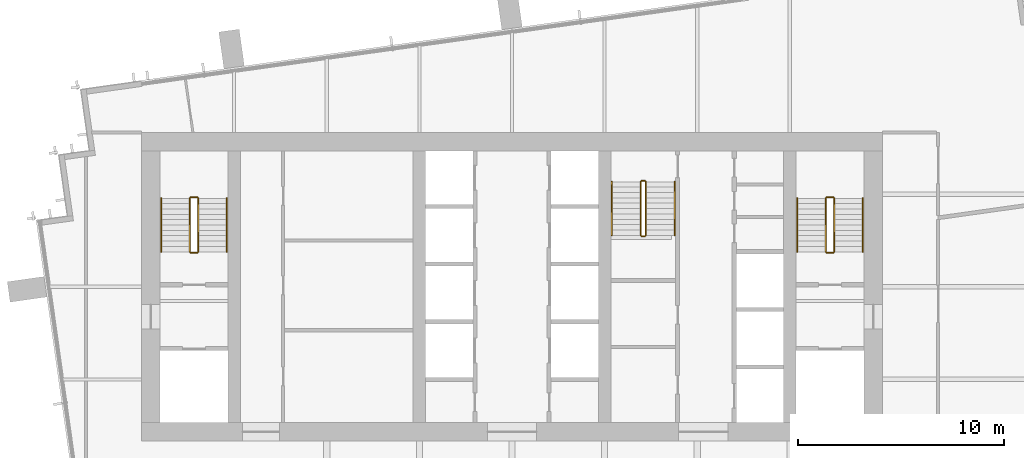
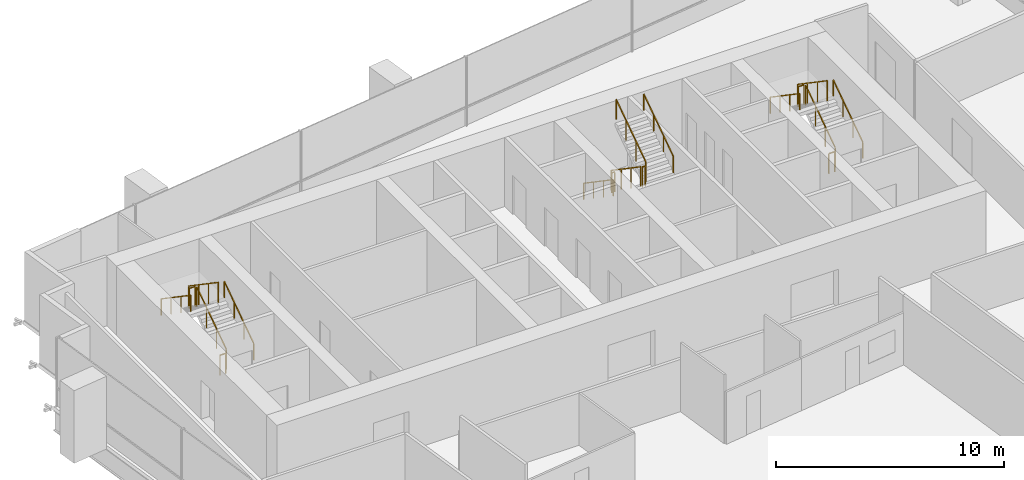
# One storey, part 13 of 13: 18 railings.
"""IFC4 building model written with IfcOpenShell, lengths in metres."""

from ifc_helpers import new_model, si_unit, direction, frame, origin, origin_2d, place, context, subcontext, project, spatial, rectangle, extrude, material, type_object, element, save


model = new_model("IFC4")

# Units and contexts
model_context = context("Model", 3, precision=1e-05, world=origin(), true_north=direction((0.0, 1.0)))
body_context = subcontext(model_context, "Body", "Model", "MODEL_VIEW")
ifc_project = project(units=[si_unit("LENGTHUNIT", "METRE"), si_unit("AREAUNIT", "SQUARE_METRE"), si_unit("VOLUMEUNIT", "CUBIC_METRE"), si_unit("PLANEANGLEUNIT", "RADIAN"), si_unit("MASSUNIT", "GRAM", prefix="KILO")], contexts=[model_context])

# Site, building, storey
site_placement = place(None, origin())
site = spatial("IfcSite", under=ifc_project, at=site_placement, CompositionType="ELEMENT")
building_placement = place(site_placement, origin())
building = spatial("IfcBuilding", under=site, at=building_placement, Name="Rattan Terrace Tower", CompositionType="ELEMENT")
storey_placement = place(building_placement, frame((0.0, 0.0, 217.39990234375)))
storey = spatial("IfcBuildingStorey", under=building, at=storey_placement, Name="L49", CompositionType="ELEMENT", Elevation=217.39990234375)

# Railings
ifc_material_1 = material(Name="Powder-coated steel guard", Category="steel")
railing_type_1 = type_object("IfcRailingType", Name="Core stair guard", PredefinedType="GUARDRAIL", material=ifc_material_1)
railing_1_placement = place(storey_placement, frame((-15.25, 1.699951171875, 0.177490234375)))
element("IfcRailing", 1, at=railing_1_placement, inside=storey, type_object=railing_type_1, Name="L49 S1 stair guard 1", PredefinedType="GUARDRAIL", context=body_context, shape_type="SweptSolid", body=[
    extrude(rectangle(XDim=0.048095703125, YDim=0.048095703125, at=origin_2d()), frame((0.0, 0.0, 1.076171875), z_axis=(0.0, 0.826240473404, 0.563317565952), x_axis=(-1.0, 0.0, 0.0)), (0.0, 0.0, 1.0), 3.14697265625),
    extrude(rectangle(XDim=0.0419921875, YDim=0.0419921875, at=origin_2d()), origin(), (0.0, 0.0, 1.0), 1.052001953125),
    extrude(rectangle(XDim=0.0419921875, YDim=0.0419921875, at=origin_2d()), frame((0.0, 0.86669921875, 0.5908203125)), (0.0, 0.0, 1.0), 1.052001953125),
    extrude(rectangle(XDim=0.0419921875, YDim=0.0419921875, at=origin_2d()), frame((0.0, 1.7333984375, 1.181884765625)), (0.0, 0.0, 1.0), 1.052001953125),
    extrude(rectangle(XDim=0.0419921875, YDim=0.0419921875, at=origin_2d()), frame((0.0, 2.60009765625, 1.772705078125)), (0.0, 0.0, 1.0), 1.052001953125),
])
railing_2_placement = place(storey_placement, frame((-15.300048828125, 4.35009765625, 1.9501953125)))
element("IfcRailing", 2, at=railing_2_placement, inside=storey, type_object=railing_type_1, Name="L49 S1 stair guard 2", PredefinedType="GUARDRAIL", context=body_context, shape_type="SweptSolid", body=[
    extrude(rectangle(XDim=0.048095703125, YDim=0.048095703125, at=origin_2d()), frame((0.0, 0.0, 1.076171875), z_axis=(-1.0, 0.0, 0.0), x_axis=(0.0, -1.0, 0.0)), (0.0, 0.0, 1.0), 0.300048828125),
    extrude(rectangle(XDim=0.0419921875, YDim=0.0419921875, at=origin_2d()), origin(), (0.0, 0.0, 1.0), 1.052001953125),
    extrude(rectangle(XDim=0.0419921875, YDim=0.0419921875, at=origin_2d()), frame((-0.300048828125, 0.0, 0.0)), (0.0, 0.0, 1.0), 1.052001953125),
])
railing_3_placement = place(storey_placement, frame((-15.64990234375, 4.300048828125, 2.12744140625)))
element("IfcRailing", 3, at=railing_3_placement, inside=storey, type_object=railing_type_1, Name="L49 S1 stair guard 3", PredefinedType="GUARDRAIL", context=body_context, shape_type="SweptSolid", body=[
    extrude(rectangle(XDim=0.048095703125, YDim=0.048095703125, at=origin_2d()), frame((0.0, 0.0, 1.076171875), z_axis=(0.0, -0.826240473404, 0.563317565952), x_axis=(1.0, 0.0, 0.0)), (0.0, 0.0, 1.0), 3.14697265625),
    extrude(rectangle(XDim=0.0419921875, YDim=0.0419921875, at=origin_2d()), origin(), (0.0, 0.0, 1.0), 1.052001953125),
    extrude(rectangle(XDim=0.0419921875, YDim=0.0419921875, at=origin_2d()), frame((0.0, -0.86669921875, 0.5908203125)), (0.0, 0.0, 1.0), 1.052001953125),
    extrude(rectangle(XDim=0.0419921875, YDim=0.0419921875, at=origin_2d()), frame((0.0, -1.7333984375, 1.181884765625)), (0.0, 0.0, 1.0), 1.052001953125),
    extrude(rectangle(XDim=0.0419921875, YDim=0.0419921875, at=origin_2d()), frame((0.0, -2.60009765625, 1.772705078125)), (0.0, 0.0, 1.0), 1.052001953125),
])
railing_4_placement = place(storey_placement, frame((-15.300048828125, 1.64990234375, 0.0)))
element("IfcRailing", 4, at=railing_4_placement, inside=storey, type_object=railing_type_1, Name="L49 S1 stair guard 4", PredefinedType="GUARDRAIL", context=body_context, shape_type="SweptSolid", body=[
    extrude(rectangle(XDim=0.048095703125, YDim=0.048095703125, at=origin_2d()), frame((0.0, 0.0, 1.076171875), z_axis=(-1.0, 0.0, 0.0), x_axis=(0.0, -1.0, 0.0)), (0.0, 0.0, 1.0), 0.300048828125),
    extrude(rectangle(XDim=0.0419921875, YDim=0.0419921875, at=origin_2d()), origin(), (0.0, 0.0, 1.0), 1.052001953125),
    extrude(rectangle(XDim=0.0419921875, YDim=0.0419921875, at=origin_2d()), frame((-0.300048828125, 0.0, 0.0)), (0.0, 0.0, 1.0), 1.052001953125),
])
railing_5_placement = place(storey_placement, frame((15.64990234375, 1.699951171875, 0.177490234375)))
element("IfcRailing", 5, at=railing_5_placement, inside=storey, type_object=railing_type_1, Name="L49 S2 stair guard 1", PredefinedType="GUARDRAIL", context=body_context, shape_type="SweptSolid", body=[
    extrude(rectangle(XDim=0.048095703125, YDim=0.048095703125, at=origin_2d()), frame((0.0, 0.0, 1.076171875), z_axis=(0.0, 0.826240473404, 0.563317565952), x_axis=(-1.0, 0.0, 0.0)), (0.0, 0.0, 1.0), 3.14697265625),
    extrude(rectangle(XDim=0.0419921875, YDim=0.0419921875, at=origin_2d()), origin(), (0.0, 0.0, 1.0), 1.052001953125),
    extrude(rectangle(XDim=0.0419921875, YDim=0.0419921875, at=origin_2d()), frame((0.0, 0.86669921875, 0.5908203125)), (0.0, 0.0, 1.0), 1.052001953125),
    extrude(rectangle(XDim=0.0419921875, YDim=0.0419921875, at=origin_2d()), frame((0.0, 1.7333984375, 1.181884765625)), (0.0, 0.0, 1.0), 1.052001953125),
    extrude(rectangle(XDim=0.0419921875, YDim=0.0419921875, at=origin_2d()), frame((0.0, 2.60009765625, 1.772705078125)), (0.0, 0.0, 1.0), 1.052001953125),
])
railing_6_placement = place(storey_placement, frame((15.60009765625, 4.35009765625, 1.9501953125)))
element("IfcRailing", 6, at=railing_6_placement, inside=storey, type_object=railing_type_1, Name="L49 S2 stair guard 2", PredefinedType="GUARDRAIL", context=body_context, shape_type="SweptSolid", body=[
    extrude(rectangle(XDim=0.048095703125, YDim=0.048095703125, at=origin_2d()), frame((0.0, 0.0, 1.076171875), z_axis=(-1.0, 0.0, 0.0), x_axis=(0.0, -1.0, 0.0)), (0.0, 0.0, 1.0), 0.300048828125),
    extrude(rectangle(XDim=0.0419921875, YDim=0.0419921875, at=origin_2d()), origin(), (0.0, 0.0, 1.0), 1.052001953125),
    extrude(rectangle(XDim=0.0419921875, YDim=0.0419921875, at=origin_2d()), frame((-0.300048828125, 0.0, 0.0)), (0.0, 0.0, 1.0), 1.052001953125),
])
railing_7_placement = place(storey_placement, frame((15.25, 4.300048828125, 2.12744140625)))
element("IfcRailing", 7, at=railing_7_placement, inside=storey, type_object=railing_type_1, Name="L49 S2 stair guard 3", PredefinedType="GUARDRAIL", context=body_context, shape_type="SweptSolid", body=[
    extrude(rectangle(XDim=0.048095703125, YDim=0.048095703125, at=origin_2d()), frame((0.0, 0.0, 1.076171875), z_axis=(0.0, -0.826240473404, 0.563317565952), x_axis=(1.0, 0.0, 0.0)), (0.0, 0.0, 1.0), 3.14697265625),
    extrude(rectangle(XDim=0.0419921875, YDim=0.0419921875, at=origin_2d()), origin(), (0.0, 0.0, 1.0), 1.052001953125),
    extrude(rectangle(XDim=0.0419921875, YDim=0.0419921875, at=origin_2d()), frame((0.0, -0.86669921875, 0.5908203125)), (0.0, 0.0, 1.0), 1.052001953125),
    extrude(rectangle(XDim=0.0419921875, YDim=0.0419921875, at=origin_2d()), frame((0.0, -1.7333984375, 1.181884765625)), (0.0, 0.0, 1.0), 1.052001953125),
    extrude(rectangle(XDim=0.0419921875, YDim=0.0419921875, at=origin_2d()), frame((0.0, -2.60009765625, 1.772705078125)), (0.0, 0.0, 1.0), 1.052001953125),
])
railing_8_placement = place(storey_placement, frame((15.60009765625, 1.64990234375, 0.0)))
element("IfcRailing", 8, at=railing_8_placement, inside=storey, type_object=railing_type_1, Name="L49 S2 stair guard 4", PredefinedType="GUARDRAIL", context=body_context, shape_type="SweptSolid", body=[
    extrude(rectangle(XDim=0.048095703125, YDim=0.048095703125, at=origin_2d()), frame((0.0, 0.0, 1.076171875), z_axis=(-1.0, 0.0, 0.0), x_axis=(0.0, -1.0, 0.0)), (0.0, 0.0, 1.0), 0.300048828125),
    extrude(rectangle(XDim=0.0419921875, YDim=0.0419921875, at=origin_2d()), origin(), (0.0, 0.0, 1.0), 1.052001953125),
    extrude(rectangle(XDim=0.0419921875, YDim=0.0419921875, at=origin_2d()), frame((-0.300048828125, 0.0, 0.0)), (0.0, 0.0, 1.0), 1.052001953125),
])
railing_9_placement = place(storey_placement, frame((6.25, 5.10009765625, 0.177490234375)))
element("IfcRailing", 9, at=railing_9_placement, inside=storey, type_object=railing_type_1, Name="L49 S3 stair guard 1", PredefinedType="GUARDRAIL", context=body_context, shape_type="SweptSolid", body=[
    extrude(rectangle(XDim=0.048095703125, YDim=0.048095703125, at=origin_2d()), frame((0.0, 0.0, 1.076171875), z_axis=(0.0, -0.826240473404, 0.563317565952), x_axis=(1.0, 0.0, 0.0)), (0.0, 0.0, 1.0), 3.14697265625),
    extrude(rectangle(XDim=0.0419921875, YDim=0.0419921875, at=origin_2d()), origin(), (0.0, 0.0, 1.0), 1.052001953125),
    extrude(rectangle(XDim=0.0419921875, YDim=0.0419921875, at=origin_2d()), frame((0.0, -0.86669921875, 0.5908203125)), (0.0, 0.0, 1.0), 1.052001953125),
    extrude(rectangle(XDim=0.0419921875, YDim=0.0419921875, at=origin_2d()), frame((0.0, -1.7333984375, 1.181884765625)), (0.0, 0.0, 1.0), 1.052001953125),
    extrude(rectangle(XDim=0.0419921875, YDim=0.0419921875, at=origin_2d()), frame((0.0, -2.60009765625, 1.772705078125)), (0.0, 0.0, 1.0), 1.052001953125),
])
railing_10_placement = place(storey_placement, frame((6.300048828125, 2.449951171875, 1.9501953125)))
element("IfcRailing", 10, at=railing_10_placement, inside=storey, type_object=railing_type_1, Name="L49 S3 stair guard 2", PredefinedType="GUARDRAIL", context=body_context, shape_type="SweptSolid", body=[
    extrude(rectangle(XDim=0.048095703125, YDim=0.048095703125, at=origin_2d()), frame((0.0, 0.0, 1.076171875), z_axis=(1.0, 0.0, 0.0), x_axis=(0.0, 1.0, 0.0)), (0.0, 0.0, 1.0), 0.14990234375),
    extrude(rectangle(XDim=0.0419921875, YDim=0.0419921875, at=origin_2d()), origin(), (0.0, 0.0, 1.0), 1.052001953125),
    extrude(rectangle(XDim=0.0419921875, YDim=0.0419921875, at=origin_2d()), frame((0.14990234375, 0.0, 0.0)), (0.0, 0.0, 1.0), 1.052001953125),
])
railing_11_placement = place(storey_placement, frame((6.5, 2.5, 2.12744140625)))
element("IfcRailing", 11, at=railing_11_placement, inside=storey, type_object=railing_type_1, Name="L49 S3 stair guard 3", PredefinedType="GUARDRAIL", context=body_context, shape_type="SweptSolid", body=[
    extrude(rectangle(XDim=0.048095703125, YDim=0.048095703125, at=origin_2d()), frame((0.0, 0.0, 1.076171875), z_axis=(0.0, 0.826240473404, 0.563317565952), x_axis=(-1.0, 0.0, 0.0)), (0.0, 0.0, 1.0), 3.14697265625),
    extrude(rectangle(XDim=0.0419921875, YDim=0.0419921875, at=origin_2d()), origin(), (0.0, 0.0, 1.0), 1.052001953125),
    extrude(rectangle(XDim=0.0419921875, YDim=0.0419921875, at=origin_2d()), frame((0.0, 0.86669921875, 0.5908203125)), (0.0, 0.0, 1.0), 1.052001953125),
    extrude(rectangle(XDim=0.0419921875, YDim=0.0419921875, at=origin_2d()), frame((0.0, 1.7333984375, 1.181884765625)), (0.0, 0.0, 1.0), 1.052001953125),
    extrude(rectangle(XDim=0.0419921875, YDim=0.0419921875, at=origin_2d()), frame((0.0, 2.60009765625, 1.772705078125)), (0.0, 0.0, 1.0), 1.052001953125),
])
railing_12_placement = place(storey_placement, frame((6.300048828125, 5.14990234375, 0.0)))
element("IfcRailing", 12, at=railing_12_placement, inside=storey, type_object=railing_type_1, Name="L49 S3 stair guard 4", PredefinedType="GUARDRAIL", context=body_context, shape_type="SweptSolid", body=[
    extrude(rectangle(XDim=0.048095703125, YDim=0.048095703125, at=origin_2d()), frame((0.0, 0.0, 1.076171875), z_axis=(1.0, 0.0, 0.0), x_axis=(0.0, 1.0, 0.0)), (0.0, 0.0, 1.0), 0.14990234375),
    extrude(rectangle(XDim=0.0419921875, YDim=0.0419921875, at=origin_2d()), origin(), (0.0, 0.0, 1.0), 1.052001953125),
    extrude(rectangle(XDim=0.0419921875, YDim=0.0419921875, at=origin_2d()), frame((0.14990234375, 0.0, 0.0)), (0.0, 0.0, 1.0), 1.052001953125),
])
ifc_material_2 = material(Name="Powder-coated steel handrail", Category="steel")
railing_type_2 = type_object("IfcRailingType", Name="Core stair handrail", PredefinedType="HANDRAIL", material=ifc_material_2)
railing_13_placement = place(storey_placement, frame((-13.85009765625, 1.699951171875, 0.177490234375)))
element("IfcRailing", 13, at=railing_13_placement, inside=storey, type_object=railing_type_2, Name="L49 S1 stair handrail 1", PredefinedType="HANDRAIL", context=body_context, shape_type="SweptSolid", body=[
    extrude(rectangle(XDim=0.048095703125, YDim=0.048095703125, at=origin_2d()), frame((0.0, 0.0, 0.8759765625), z_axis=(0.0, 0.826240473404, 0.563317565952), x_axis=(-1.0, 0.0, 0.0)), (0.0, 0.0, 1.0), 3.14697265625),
    extrude(rectangle(XDim=0.0419921875, YDim=0.0419921875, at=origin_2d()), origin(), (0.0, 0.0, 1.0), 0.851806640625),
    extrude(rectangle(XDim=0.0419921875, YDim=0.0419921875, at=origin_2d()), frame((0.0, 0.86669921875, 0.5908203125)), (0.0, 0.0, 1.0), 0.851806640625),
    extrude(rectangle(XDim=0.0419921875, YDim=0.0419921875, at=origin_2d()), frame((0.0, 1.7333984375, 1.181884765625)), (0.0, 0.0, 1.0), 0.851806640625),
    extrude(rectangle(XDim=0.0419921875, YDim=0.0419921875, at=origin_2d()), frame((0.0, 2.60009765625, 1.772705078125)), (0.0, 0.0, 1.0), 0.851806640625),
])
railing_14_placement = place(storey_placement, frame((-17.050048828125, 4.300048828125, 2.12744140625)))
element("IfcRailing", 14, at=railing_14_placement, inside=storey, type_object=railing_type_2, Name="L49 S1 stair handrail 2", PredefinedType="HANDRAIL", context=body_context, shape_type="SweptSolid", body=[
    extrude(rectangle(XDim=0.048095703125, YDim=0.048095703125, at=origin_2d()), frame((0.0, 0.0, 0.8759765625), z_axis=(0.0, -0.826240473404, 0.563317565952), x_axis=(1.0, 0.0, 0.0)), (0.0, 0.0, 1.0), 3.14697265625),
    extrude(rectangle(XDim=0.0419921875, YDim=0.0419921875, at=origin_2d()), origin(), (0.0, 0.0, 1.0), 0.851806640625),
    extrude(rectangle(XDim=0.0419921875, YDim=0.0419921875, at=origin_2d()), frame((0.0, -0.86669921875, 0.5908203125)), (0.0, 0.0, 1.0), 0.851806640625),
    extrude(rectangle(XDim=0.0419921875, YDim=0.0419921875, at=origin_2d()), frame((0.0, -1.7333984375, 1.181884765625)), (0.0, 0.0, 1.0), 0.851806640625),
    extrude(rectangle(XDim=0.0419921875, YDim=0.0419921875, at=origin_2d()), frame((0.0, -2.60009765625, 1.772705078125)), (0.0, 0.0, 1.0), 0.851806640625),
])
railing_15_placement = place(storey_placement, frame((17.050048828125, 1.699951171875, 0.177490234375)))
element("IfcRailing", 15, at=railing_15_placement, inside=storey, type_object=railing_type_2, Name="L49 S2 stair handrail 1", PredefinedType="HANDRAIL", context=body_context, shape_type="SweptSolid", body=[
    extrude(rectangle(XDim=0.048095703125, YDim=0.048095703125, at=origin_2d()), frame((0.0, 0.0, 0.8759765625), z_axis=(0.0, 0.826240473404, 0.563317565952), x_axis=(-1.0, 0.0, 0.0)), (0.0, 0.0, 1.0), 3.14697265625),
    extrude(rectangle(XDim=0.0419921875, YDim=0.0419921875, at=origin_2d()), origin(), (0.0, 0.0, 1.0), 0.851806640625),
    extrude(rectangle(XDim=0.0419921875, YDim=0.0419921875, at=origin_2d()), frame((0.0, 0.86669921875, 0.5908203125)), (0.0, 0.0, 1.0), 0.851806640625),
    extrude(rectangle(XDim=0.0419921875, YDim=0.0419921875, at=origin_2d()), frame((0.0, 1.7333984375, 1.181884765625)), (0.0, 0.0, 1.0), 0.851806640625),
    extrude(rectangle(XDim=0.0419921875, YDim=0.0419921875, at=origin_2d()), frame((0.0, 2.60009765625, 1.772705078125)), (0.0, 0.0, 1.0), 0.851806640625),
])
for number, where, name in (
    (16, (13.85009765625, 4.300048828125, 2.12744140625), "L49 S2 stair handrail 2"),
    (17, (4.85009765625, 5.10009765625, 0.177490234375), "L49 S3 stair handrail 1"),
):
    element("IfcRailing", number, at=place(storey_placement, frame(where)), inside=storey, type_object=railing_type_2, Name=name, PredefinedType="HANDRAIL", context=body_context, shape_type="SweptSolid", body=[
        extrude(rectangle(XDim=0.048095703125, YDim=0.048095703125, at=origin_2d()), frame((0.0, 0.0, 0.8759765625), z_axis=(0.0, -0.826240473404, 0.563317565952), x_axis=(1.0, 0.0, 0.0)), (0.0, 0.0, 1.0), 3.14697265625),
        extrude(rectangle(XDim=0.0419921875, YDim=0.0419921875, at=origin_2d()), origin(), (0.0, 0.0, 1.0), 0.851806640625),
        extrude(rectangle(XDim=0.0419921875, YDim=0.0419921875, at=origin_2d()), frame((0.0, -0.86669921875, 0.5908203125)), (0.0, 0.0, 1.0), 0.851806640625),
        extrude(rectangle(XDim=0.0419921875, YDim=0.0419921875, at=origin_2d()), frame((0.0, -1.7333984375, 1.181884765625)), (0.0, 0.0, 1.0), 0.851806640625),
        extrude(rectangle(XDim=0.0419921875, YDim=0.0419921875, at=origin_2d()), frame((0.0, -2.60009765625, 1.772705078125)), (0.0, 0.0, 1.0), 0.851806640625),
    ])
railing_16_placement = place(storey_placement, frame((7.89990234375, 2.5, 2.12744140625)))
element("IfcRailing", 18, at=railing_16_placement, inside=storey, type_object=railing_type_2, Name="L49 S3 stair handrail 2", PredefinedType="HANDRAIL", context=body_context, shape_type="SweptSolid", body=[
    extrude(rectangle(XDim=0.048095703125, YDim=0.048095703125, at=origin_2d()), frame((0.0, 0.0, 0.8759765625), z_axis=(0.0, 0.826240473404, 0.563317565952), x_axis=(-1.0, 0.0, 0.0)), (0.0, 0.0, 1.0), 3.14697265625),
    extrude(rectangle(XDim=0.0419921875, YDim=0.0419921875, at=origin_2d()), origin(), (0.0, 0.0, 1.0), 0.851806640625),
    extrude(rectangle(XDim=0.0419921875, YDim=0.0419921875, at=origin_2d()), frame((0.0, 0.86669921875, 0.5908203125)), (0.0, 0.0, 1.0), 0.851806640625),
    extrude(rectangle(XDim=0.0419921875, YDim=0.0419921875, at=origin_2d()), frame((0.0, 1.7333984375, 1.181884765625)), (0.0, 0.0, 1.0), 0.851806640625),
    extrude(rectangle(XDim=0.0419921875, YDim=0.0419921875, at=origin_2d()), frame((0.0, 2.60009765625, 1.772705078125)), (0.0, 0.0, 1.0), 0.851806640625),
])

save(model, "model.ifc")
